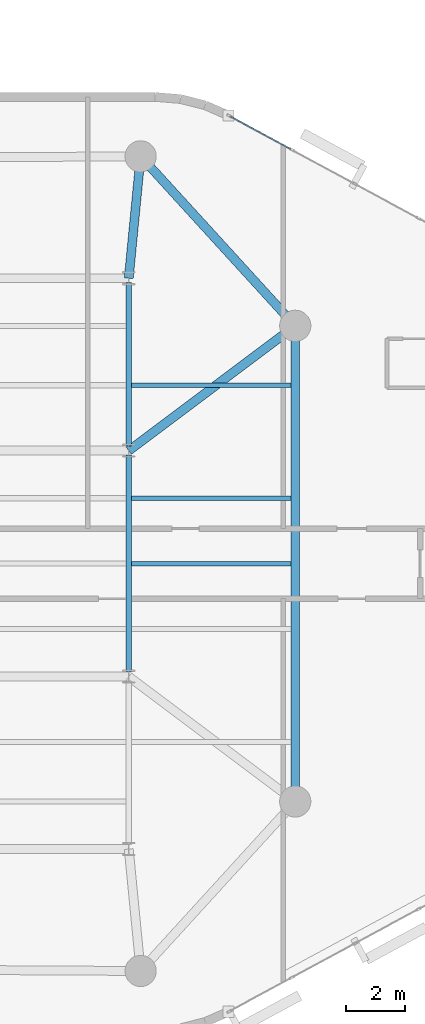
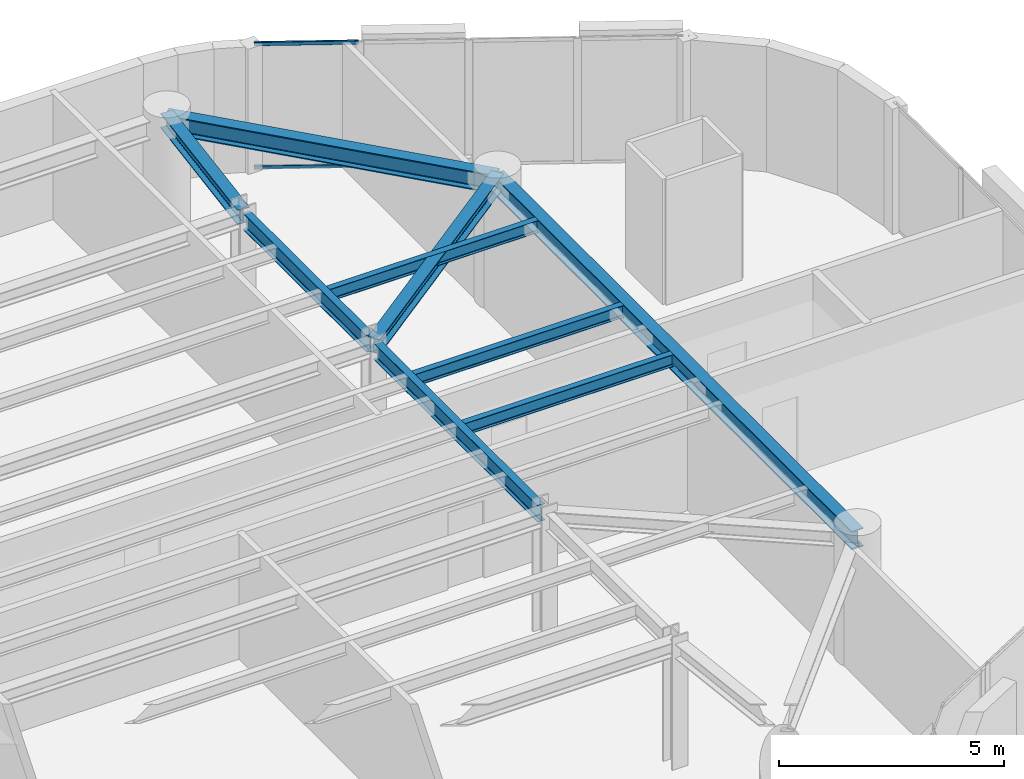
# One storey, part 5 of 13: 9 beams, 2 members, 1 element without a shape of its own.
"""IFC4 building model written with IfcOpenShell, lengths in metres."""

from ifc_helpers import new_model, si_unit, direction, frame, origin, origin_2d, place, context, subcontext, project, spatial, hollow_rectangle, i_section, extrude, material, layer, layer_set, material_profile, profile_set, type_object, element, aggregate, save


model = new_model("IFC4")

# Units and contexts
model_context = context("Model", 3, precision=1e-05, world=origin(), true_north=direction((0.0, 1.0)))
body_context = subcontext(model_context, "Body", "Model", "MODEL_VIEW")
ifc_project = project(units=[si_unit("LENGTHUNIT", "METRE"), si_unit("AREAUNIT", "SQUARE_METRE"), si_unit("VOLUMEUNIT", "CUBIC_METRE"), si_unit("PLANEANGLEUNIT", "RADIAN"), si_unit("MASSUNIT", "GRAM", prefix="KILO")], contexts=[model_context])

# Site, building, storey
site_placement = place(None, origin())
site = spatial("IfcSite", under=ifc_project, at=site_placement, CompositionType="ELEMENT")
building_placement = place(site_placement, origin())
building = spatial("IfcBuilding", under=site, at=building_placement, Name="An Khanh Terracotta Commons", CompositionType="ELEMENT")
storey_placement = place(building_placement, frame((0.0, 0.0, 212.10009765625)))
storey = spatial("IfcBuildingStorey", under=building, at=storey_placement, Name="L55", CompositionType="ELEMENT", Elevation=212.10009765625)

# Beams
ifc_material_1 = material(Name="Steel S355J2", Category="steel")
ifc_material_profile_1 = material_profile(ifc_material_1, i_section(OverallWidth=0.300048828125, OverallDepth=0.39990234375, WebThickness=0.013427734375, FlangeThickness=0.02392578125, FilletRadius=0.027099609375, at=origin_2d()), Name="HEB400")
ifc_profile_set_1 = profile_set([ifc_material_profile_1], Name="Steel S355J2")
beam_type_1 = type_object("IfcBeamType", Name="BM-HEB400", PredefinedType="BEAM", material=ifc_profile_set_1)
beam_1_placement = place(storey_placement, frame((59.60009765625, 32.0, 3.199951171875), z_axis=(-0.800008370399, -0.599988839305, 0.0), x_axis=(0.599988839305, -0.800008370399, 0.0)))
element("IfcBeam", 1, at=beam_1_placement, inside=storey, type_object=beam_type_1, Name="L55 Mega-Column Tie Girder 4", PredefinedType="BEAM", context=body_context, shape_type="SweptSolid", body=[
    extrude(i_section(OverallWidth=0.300048828125, OverallDepth=0.39990234375, WebThickness=0.013427734375, FlangeThickness=0.02392578125, FilletRadius=0.027099609375, at=origin_2d()), origin(), (0.0, 0.0, 1.0), 7.0),
])
beam_2_placement = place(storey_placement, frame((54.39990234375, 37.699951171875, 3.199951171875), z_axis=(-0.097079917443, -0.995276589511, 0.0), x_axis=(0.995276589511, -0.097079917443, 0.0)))
element("IfcBeam", 2, at=beam_2_placement, inside=storey, type_object=beam_type_1, Name="L55 Mega-Column Tie Girder 5", PredefinedType="BEAM", context=body_context, shape_type="SweptSolid", body=[
    extrude(i_section(OverallWidth=0.300048828125, OverallDepth=0.39990234375, WebThickness=0.013427734375, FlangeThickness=0.02392578125, FilletRadius=0.027099609375, at=origin_2d()), origin(), (0.0, 0.0, 1.0), 4.119384765625),
])
ifc_material_profile_2 = material_profile(ifc_material_1, i_section(OverallWidth=0.300048828125, OverallDepth=0.5, WebThickness=0.014404296875, FlangeThickness=0.028076171875, FilletRadius=0.027099609375, at=origin_2d()), Name="HEB500")
ifc_profile_set_2 = profile_set([ifc_material_profile_2], Name="Steel S355J2")
beam_type_2 = type_object("IfcBeamType", Name="BM-HEB500", PredefinedType="BEAM", material=ifc_profile_set_2)
beam_3_placement = place(storey_placement, frame((59.60009765625, 16.0, 3.14990234375), z_axis=(0.0, 1.0, 0.0), x_axis=(-1.0, 0.0, 0.0)))
element("IfcBeam", 3, at=beam_3_placement, inside=storey, type_object=beam_type_2, Name="L55 Perimeter Ring Spandrel 3", PredefinedType="BEAM", context=body_context, shape_type="SweptSolid", body=[
    extrude(i_section(OverallWidth=0.300048828125, OverallDepth=0.5, WebThickness=0.014404296875, FlangeThickness=0.028076171875, FilletRadius=0.027099609375, at=origin_2d()), origin(), (0.0, 0.0, 1.0), 16.0),
])
beam_4_placement = place(storey_placement, frame((59.60009765625, 32.0, 3.14990234375), z_axis=(-0.673978953902, 0.738750546326, 0.0), x_axis=(-0.738750546326, -0.673978953902, 0.0)))
element("IfcBeam", 4, at=beam_4_placement, inside=storey, type_object=beam_type_2, Name="L55 Perimeter Ring Spandrel 4", PredefinedType="BEAM", context=body_context, shape_type="SweptSolid", body=[
    extrude(i_section(OverallWidth=0.300048828125, OverallDepth=0.5, WebThickness=0.014404296875, FlangeThickness=0.028076171875, FilletRadius=0.027099609375, at=origin_2d()), origin(), (0.0, 0.0, 1.0), 7.715576171875),
])
ifc_material_profile_3 = material_profile(ifc_material_1, i_section(OverallWidth=0.159912109375, OverallDepth=0.330078125, WebThickness=0.007568359375, FlangeThickness=0.011474609375, FilletRadius=0.01806640625, at=origin_2d()), Name="IPE330")
ifc_profile_set_3 = profile_set([ifc_material_profile_3], Name="Steel S355J2")
beam_type_3 = type_object("IfcBeamType", Name="BM-IPE330", PredefinedType="JOIST", material=ifc_profile_set_3)
for number, where, z_axis, x_axis, name in (
    (5, (54.094970703125, 24.0, 3.23486328125), (1.0, 0.0, 0.0), (0.0, 1.0, 0.0), "L55 Riverfront Composite Joist 4"),
    (6, (54.094970703125, 26.199951171875, 3.23486328125), (1.0, 0.0, 0.0), (0.0, 1.0, 0.0), "L55 Riverfront Composite Joist 5"),
    (7, (54.094970703125, 30.0, 3.23486328125), (1.0, 0.0, 0.0), (0.0, 1.0, 0.0), "L55 Riverfront Composite Joist 6"),
):
    element("IfcBeam", number, at=place(storey_placement, frame(where, z_axis=z_axis, x_axis=x_axis)), inside=storey, type_object=beam_type_3, Name=name, PredefinedType="JOIST", context=body_context, shape_type="SweptSolid", body=[
        extrude(i_section(OverallWidth=0.159912109375, OverallDepth=0.330078125, WebThickness=0.007568359375, FlangeThickness=0.011474609375, FilletRadius=0.01806640625, at=origin_2d()), origin(), (0.0, 0.0, 1.0), 5.35498046875),
    ])
ifc_material_profile_4 = material_profile(ifc_material_1, i_section(OverallWidth=0.18994140625, OverallDepth=0.449951171875, WebThickness=0.009521484375, FlangeThickness=0.0146484375, FilletRadius=0.02099609375, at=origin_2d()), Name="IPE450")
ifc_profile_set_4 = profile_set([ifc_material_profile_4], Name="Steel S355J2")
beam_type_4 = type_object("IfcBeamType", Name="BM-IPE450", PredefinedType="JOIST", material=ifc_profile_set_4)
beam_5_placement = place(storey_placement, frame((54.0, 20.35009765625, 3.1748046875), z_axis=(0.0, 1.0, 0.0), x_axis=(-1.0, 0.0, 0.0)))
element("IfcBeam", 8, at=beam_5_placement, inside=storey, type_object=beam_type_4, Name="L55 East Spine Girder 2", PredefinedType="JOIST", context=body_context, shape_type="SweptSolid", body=[
    extrude(i_section(OverallWidth=0.18994140625, OverallDepth=0.449951171875, WebThickness=0.009521484375, FlangeThickness=0.0146484375, FilletRadius=0.02099609375, at=origin_2d()), origin(), (0.0, 0.0, 1.0), 7.2998046875),
])
beam_6_placement = place(storey_placement, frame((54.0, 27.949951171875, 3.1748046875), z_axis=(0.0, 1.0, 0.0), x_axis=(-1.0, 0.0, 0.0)))
element("IfcBeam", 9, at=beam_6_placement, inside=storey, type_object=beam_type_4, Name="L55 East Spine Girder 3", PredefinedType="JOIST", context=body_context, shape_type="SweptSolid", body=[
    extrude(i_section(OverallWidth=0.18994140625, OverallDepth=0.449951171875, WebThickness=0.009521484375, FlangeThickness=0.0146484375, FilletRadius=0.02099609375, at=origin_2d()), origin(), (0.0, 0.0, 1.0), 5.5),
])

# Curtain wall, members
ifc_material_2 = material(Name="Anodised Aluminium 6063-T6", Category="aluminium")
ifc_layer = layer(ifc_material_2, 0.2099609375, Name="Anodised Aluminium 6063-T6")
ifc_layer_set = layer_set([ifc_layer], Name="Anodised Aluminium 6063-T6")
curtain_wall_type = type_object("IfcCurtainWallType", Name="CW-SYS-03", PredefinedType="USERDEFINED", material=ifc_layer_set)
curtain_wall_placement = place(storey_placement, origin())
curtain_wall = element("IfcCurtainWall", 10, at=curtain_wall_placement, inside=storey, type_object=curtain_wall_type, Name="L55 CW-03 Unitised Curtain Wall CW-L55-16", ObjectType="UNITISED CURTAIN WALL", PredefinedType="USERDEFINED")
ifc_material_profile_5 = material_profile(ifc_material_2, hollow_rectangle(XDim=0.050048828125, YDim=0.10009765625, WallThickness=0.003173828125, InnerFilletRadius=0.003173828125, OuterFilletRadius=0.00634765625, at=origin_2d()), Name="RHS100x50x3.2")
ifc_profile_set_5 = profile_set([ifc_material_profile_5], Name="Anodised Aluminium 6063-T6")
member_type = type_object("IfcMemberType", Name="CWT-RHS100x50x3.2", PredefinedType="USERDEFINED", material=ifc_profile_set_5)
member_1_placement = place(storey_placement, frame((59.455078125, 37.94140625, 0.02490234375), z_axis=(-0.879779245677, 0.475382455373, 0.0), x_axis=(-0.475382455373, -0.879779245677, 0.0)))
member_1 = element("IfcMember", 11, at=member_1_placement, type_object=member_type, Name="CW-03 transom 4.1", ObjectType="TRANSOM", PredefinedType="USERDEFINED", context=body_context, shape_type="SweptSolid", body=[
    extrude(hollow_rectangle(XDim=0.050048828125, YDim=0.10009765625, WallThickness=0.003173828125, InnerFilletRadius=0.003173828125, OuterFilletRadius=0.00634765625, at=origin_2d()), origin(), (0.0, 0.0, 1.0), 2.314697265625),
])
member_2_placement = place(storey_placement, frame((59.455078125, 37.94140625, 3.375), z_axis=(-0.879779245677, 0.475382455373, 0.0), x_axis=(-0.475382455373, -0.879779245677, 0.0)))
member_2 = element("IfcMember", 12, at=member_2_placement, type_object=member_type, Name="CW-03 transom 4.2", ObjectType="TRANSOM", PredefinedType="USERDEFINED", context=body_context, shape_type="SweptSolid", body=[
    extrude(hollow_rectangle(XDim=0.050048828125, YDim=0.10009765625, WallThickness=0.003173828125, InnerFilletRadius=0.003173828125, OuterFilletRadius=0.00634765625, at=origin_2d()), origin(), (0.0, 0.0, 1.0), 2.314697265625),
])
aggregate(curtain_wall, [member_1, member_2])

save(model, "model.ifc")
